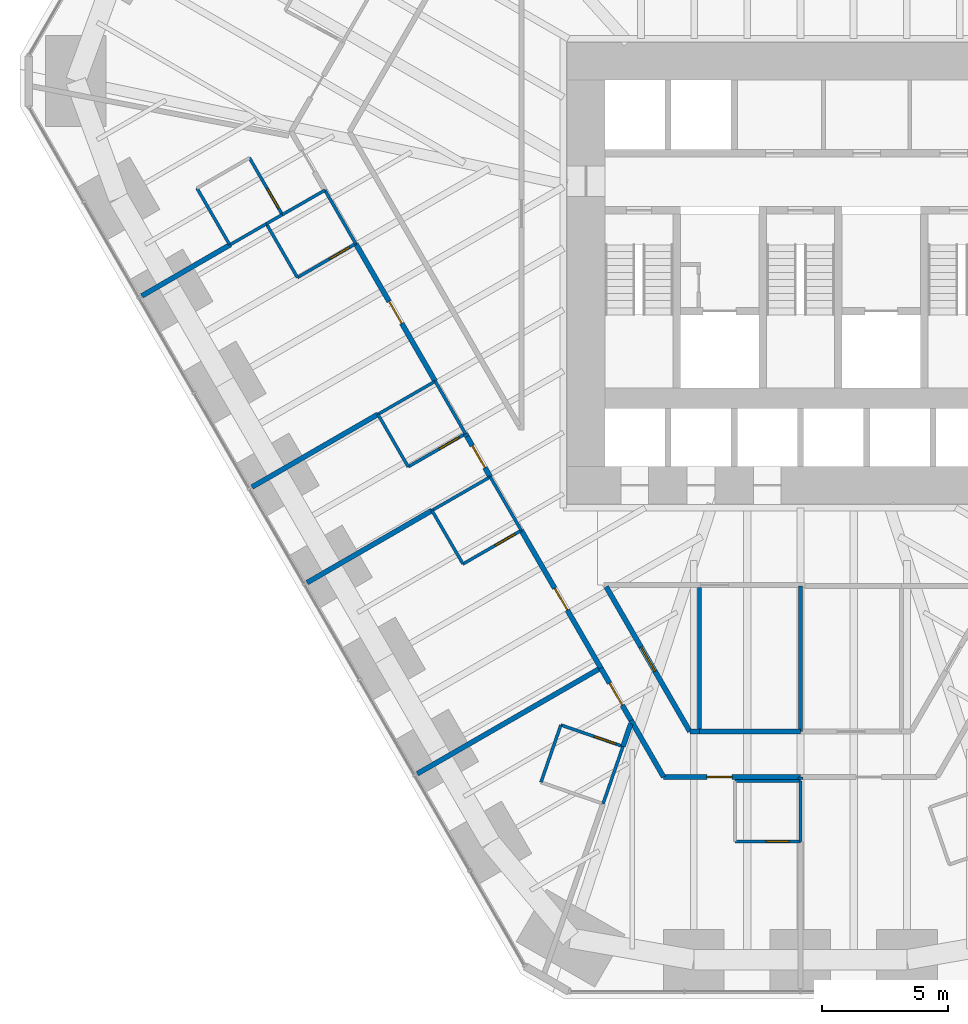
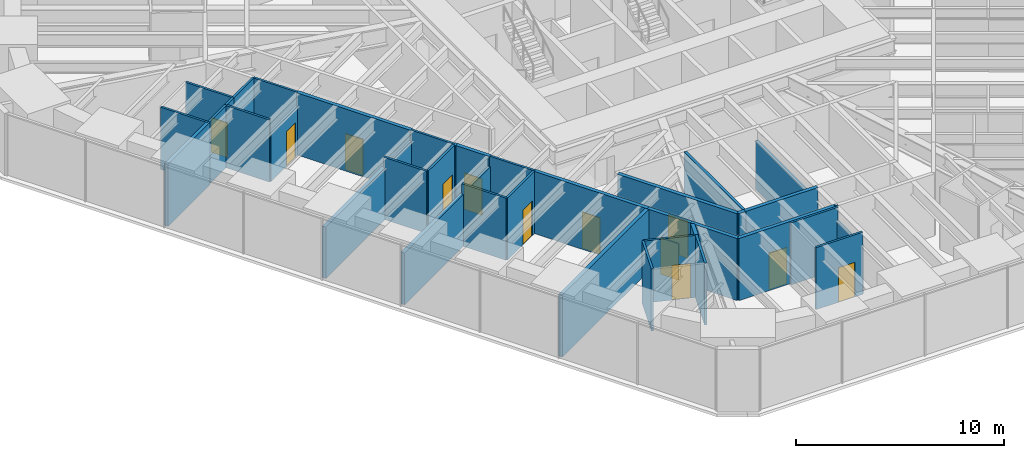
# One storey, part 11 of 17: 40 walls, 12 doors, 12 openings.
"""IFC4 building model written with IfcOpenShell, lengths in metres."""

from ifc_helpers import new_model, si_unit, direction, frame, frame_2d, origin, place, context, subcontext, project, spatial, rectangle, extrude, material, layer, layer_set, type_object, element, fill, save


model = new_model("IFC4")

# Units and contexts
model_context = context("Model", 3, precision=1e-05, world=origin(), true_north=direction((0.0, 1.0)))
body_context = subcontext(model_context, "Body", "Model", "MODEL_VIEW")
ifc_project = project(units=[si_unit("LENGTHUNIT", "METRE"), si_unit("AREAUNIT", "SQUARE_METRE"), si_unit("VOLUMEUNIT", "CUBIC_METRE"), si_unit("PLANEANGLEUNIT", "RADIAN"), si_unit("MASSUNIT", "GRAM", prefix="KILO")], contexts=[model_context])

# Site, building, storey
site_placement = place(None, origin())
site = spatial("IfcSite", under=ifc_project, at=site_placement, CompositionType="ELEMENT")
building_placement = place(site_placement, origin())
building = spatial("IfcBuilding", under=site, at=building_placement, Name="Sandreach Pilgrim Tower", CompositionType="ELEMENT")
storey_placement = place(building_placement, frame((0.0, 0.0, 30.60009765625)))
storey = spatial("IfcBuildingStorey", under=building, at=storey_placement, Name="L06", CompositionType="ELEMENT", Elevation=30.60009765625)

# Walls
ifc_material_1 = material(Name="Gypsum board on steel studs", Category="steel")
ifc_layer_1 = layer(ifc_material_1, 0.14990234375)
ifc_layer_set_1 = layer_set([ifc_layer_1], Name="Back of house wall 150")
wall_type_1 = type_object("IfcWallType", Name="Back of house wall 150", PredefinedType="PARTITIONING", material=ifc_layer_set_1)
wall_1_placement = place(storey_placement, frame((-4.0, -14.0, 0.0), z_axis=(0.0, 0.0, 1.0), x_axis=(0.0, -1.0, 0.0)))
element("IfcWall", 1, at=wall_1_placement, inside=storey, type_object=wall_type_1, Name="Back of house wall L06-068", PredefinedType="PARTITIONING", context=body_context, shape_type="SweptSolid", body=[
    extrude(rectangle(XDim=5.7099609375, YDim=0.14990234375, at=frame_2d((2.85498046875, 0.0))), origin(), (0.0, 0.0, 1.0), 3.639892578125),
])
wall_2_placement = place(storey_placement, frame((0.0, -13.949951171875, 0.0), z_axis=(0.0, 0.0, 1.0), x_axis=(0.0, -1.0, 0.0)))
element("IfcWall", 2, at=wall_2_placement, inside=storey, type_object=wall_type_1, Name="Back of house wall L06-083", PredefinedType="PARTITIONING", context=body_context, shape_type="SweptSolid", body=[
    extrude(rectangle(XDim=5.760009765625, YDim=0.14990234375, at=frame_2d((2.8798828125, 0.0))), origin(), (0.0, 0.0, 1.0), 2.860107421875),
])
ifc_material_2 = material(Name="Moisture-resistant gypsum board on steel studs", Category="steel")
ifc_layer_2 = layer(ifc_material_2, 0.1201171875)
ifc_layer_set_2 = layer_set([ifc_layer_2], Name="Bathroom partition 120")
wall_type_2 = type_object("IfcWallType", Name="Bathroom partition 120", PredefinedType="PARTITIONING", material=ifc_layer_set_2)
wall_3_placement = place(storey_placement, frame((-23.909912109375, 1.820068359375, 0.0), z_axis=(0.0, 0.0, 1.0), x_axis=(0.50026500294, -0.865872350196, 0.0)))
element("IfcWall", 3, at=wall_3_placement, inside=storey, type_object=wall_type_2, Name="Bathroom partition L06-004", PredefinedType="PARTITIONING", context=body_context, shape_type="SweptSolid", body=[
    extrude(rectangle(XDim=2.58349609375, YDim=0.1201171875, at=frame_2d((1.291748046875, 0.0))), origin(), (0.0, 0.0, 1.0), 3.639892578125),
])
wall_4_placement = place(storey_placement, frame((-22.580078125, -0.409912109375, 0.0), z_axis=(0.0, 0.0, 1.0), x_axis=(0.866054188497, 0.499950140102, 0.0)))
element("IfcWall", 4, at=wall_4_placement, inside=storey, type_object=wall_type_2, Name="Bathroom partition L06-005", PredefinedType="PARTITIONING", context=body_context, shape_type="SweptSolid", body=[
    extrude(rectangle(XDim=1.639892578125, YDim=0.1201171875, at=frame_2d((0.81982421875, 0.0))), origin(), (0.0, 0.0, 1.0), 3.639892578125),
])
wall_5_placement = place(storey_placement, frame((-21.159912109375, 0.409912109375, 0.0), z_axis=(0.0, 0.0, 1.0), x_axis=(0.868139588385, 0.496320113515, 0.0)))
element("IfcWall", 5, at=wall_5_placement, inside=storey, type_object=wall_type_2, Name="Bathroom partition L06-008", PredefinedType="PARTITIONING", context=body_context, shape_type="SweptSolid", body=[
    extrude(rectangle(XDim=0.7255859375, YDim=0.1201171875, at=frame_2d((0.36279296875, 0.0))), origin(), (0.0, 0.0, 1.0), 3.639892578125),
])
wall_6_placement = place(storey_placement, frame((-21.159912109375, 0.409912109375, 0.0), z_axis=(0.0, 0.0, 1.0), x_axis=(0.500089055364, -0.86597398154, 0.0)))
element("IfcWall", 6, at=wall_6_placement, inside=storey, type_object=wall_type_2, Name="Bathroom partition L06-009", PredefinedType="PARTITIONING", context=body_context, shape_type="SweptSolid", body=[
    extrude(rectangle(XDim=2.45947265625, YDim=0.1201171875, at=frame_2d((1.229736328125, 0.0))), origin(), (0.0, 0.0, 1.0), 3.639892578125),
])

# Wall, opening, door
wall_7_placement = place(storey_placement, frame((-20.530029296875, 0.77001953125, 0.0), z_axis=(0.0, 0.0, 1.0), x_axis=(-0.500291685314, 0.865856933682, 0.0)))
wall_7 = element("IfcWall", 7, at=wall_7_placement, inside=storey, type_object=wall_type_2, Name="Bathroom partition L06-010", PredefinedType="PARTITIONING", context=body_context, shape_type="SweptSolid", body=[
    extrude(rectangle(XDim=2.5986328125, YDim=0.1201171875, at=frame_2d((1.29931640625, 0.0))), origin(), (0.0, 0.0, 1.0), 3.639892578125),
])
opening_1_placement = place(wall_7_placement, frame((0.300048828125, 0.0, 0.0)))
opening_1 = element("IfcOpeningElement", 8, at=opening_1_placement, cuts=wall_7, Name="Opening D09-19B", PredefinedType="OPENING", context=body_context, shape_type="SweptSolid", body=[
    extrude(rectangle(XDim=0.89990234375, YDim=2.030029296875, at=frame_2d((0.449951171875, 1.01513671875))), frame((0.0, 0.06005859375, 0.0), z_axis=(0.0, -1.0, 0.0), x_axis=(1.0, 0.0, 0.0)), (0.0, 0.0, 1.0), 0.1201171875),
])
ifc_material_3 = material(Name="Timber door, steel frame", Category="steel")
door_type_1 = type_object("IfcDoorType", Name="Bathroom door", OperationType="SINGLE_SWING_LEFT", PredefinedType="DOOR", material=ifc_material_3)
door_1_placement = place(opening_1_placement, origin())
door_1 = element("IfcDoor", 9, at=door_1_placement, inside=storey, type_object=door_type_1, Name="Door 0619B", OperationType="SINGLE_SWING_LEFT", OverallHeight=2.030029296875, OverallWidth=0.89990234375, PredefinedType="DOOR", context=body_context, shape_type="SweptSolid", body=[
    extrude(rectangle(XDim=0.89990234375, YDim=2.030029296875, at=frame_2d((0.449951171875, 1.01513671875))), frame((0.0, 0.02490234375, 0.0), z_axis=(0.0, -1.0, 0.0), x_axis=(1.0, 0.0, 0.0)), (0.0, 0.0, 1.0), 0.050048828125),
])
fill(opening_1, door_1)

# Wall
wall_8_placement = place(storey_placement, frame((-20.530029296875, 0.77001953125, 0.0), z_axis=(0.0, 0.0, 1.0), x_axis=(0.867293167797, 0.497797711016, 0.0)))
element("IfcWall", 10, at=wall_8_placement, inside=storey, type_object=wall_type_2, Name="Bathroom partition L06-011", PredefinedType="PARTITIONING", context=body_context, shape_type="SweptSolid", body=[
    extrude(rectangle(XDim=1.948486328125, YDim=0.1201171875, at=frame_2d((0.97412109375, 0.0))), origin(), (0.0, 0.0, 1.0), 3.639892578125),
])

# Wall, opening, door
wall_9_placement = place(storey_placement, frame((-19.929931640625, -1.719970703125, 0.0), z_axis=(0.0, 0.0, 1.0), x_axis=(0.865006586495, 0.501760505939, 0.0)))
wall_9 = element("IfcWall", 11, at=wall_9_placement, inside=storey, type_object=wall_type_2, Name="Bathroom partition L06-016", PredefinedType="PARTITIONING", context=body_context, shape_type="SweptSolid", body=[
    extrude(rectangle(XDim=2.670166015625, YDim=0.1201171875, at=frame_2d((1.3349609375, 0.0))), origin(), (0.0, 0.0, 1.0), 2.8779296875),
])
opening_2_placement = place(wall_9_placement, frame((1.470458984375, 0.0, 0.0)))
opening_2 = element("IfcOpeningElement", 12, at=opening_2_placement, cuts=wall_9, Name="Opening D09-18B", PredefinedType="OPENING", context=body_context, shape_type="SweptSolid", body=[
    extrude(rectangle(XDim=0.89990234375, YDim=2.030029296875, at=frame_2d((0.449951171875, 1.01513671875))), frame((0.0, 0.06005859375, 0.0), z_axis=(0.0, -1.0, 0.0), x_axis=(1.0, 0.0, 0.0)), (0.0, 0.0, 1.0), 0.1201171875),
])
door_2_placement = place(opening_2_placement, origin())
door_2 = element("IfcDoor", 13, at=door_2_placement, inside=storey, type_object=door_type_1, Name="Door 0618B", OperationType="SINGLE_SWING_RIGHT", OverallHeight=2.030029296875, OverallWidth=0.89990234375, PredefinedType="DOOR", context=body_context, shape_type="SweptSolid", body=[
    extrude(rectangle(XDim=0.89990234375, YDim=2.030029296875, at=frame_2d((0.449951171875, 1.01513671875))), frame((0.0, 0.02490234375, 0.0), z_axis=(0.0, -1.0, 0.0), x_axis=(1.0, 0.0, 0.0)), (0.0, 0.0, 1.0), 0.050048828125),
])
fill(opening_2, door_2)

# Walls
wall_10_placement = place(storey_placement, frame((-18.840087890625, 1.739990234375, 0.0), z_axis=(0.0, 0.0, 1.0), x_axis=(0.498791783817, -0.866721844883, 0.0)))
element("IfcWall", 14, at=wall_10_placement, inside=storey, type_object=wall_type_2, Name="Bathroom partition L06-020", PredefinedType="PARTITIONING", context=body_context, shape_type="SweptSolid", body=[
    extrude(rectangle(XDim=2.44580078125, YDim=0.1201171875, at=frame_2d((1.222900390625, 0.0))), origin(), (0.0, 0.0, 1.0), 3.639892578125),
])
wall_11_placement = place(storey_placement, frame((-16.739990234375, -7.139892578125, 0.0), z_axis=(0.0, 0.0, 1.0), x_axis=(0.499693115345, -0.866202511239, 0.0)))
element("IfcWall", 15, at=wall_11_placement, inside=storey, type_object=wall_type_2, Name="Bathroom partition L06-028", PredefinedType="PARTITIONING", context=body_context, shape_type="SweptSolid", body=[
    extrude(rectangle(XDim=2.4013671875, YDim=0.1201171875, at=frame_2d((1.20068359375, 0.0))), origin(), (0.0, 0.0, 1.0), 3.639892578125),
])
wall_12_placement = place(storey_placement, frame((-16.739990234375, -7.139892578125, 0.0), z_axis=(0.0, 0.0, 1.0), x_axis=(0.866154567199, 0.49977621564, 0.0)))
element("IfcWall", 16, at=wall_12_placement, inside=storey, type_object=wall_type_2, Name="Bathroom partition L06-029", PredefinedType="PARTITIONING", context=body_context, shape_type="SweptSolid", body=[
    extrude(rectangle(XDim=2.620849609375, YDim=0.1201171875, at=frame_2d((1.310546875, 0.0))), origin(), (0.0, 0.0, 1.0), 3.022705078125),
])

# Wall, opening, door
wall_13_placement = place(storey_placement, frame((-15.5400390625, -9.219970703125, 0.0), z_axis=(0.0, 0.0, 1.0), x_axis=(0.866114241029, 0.499846097802, 0.0)))
wall_13 = element("IfcWall", 17, at=wall_13_placement, inside=storey, type_object=wall_type_2, Name="Bathroom partition L06-031", PredefinedType="PARTITIONING", context=body_context, shape_type="SweptSolid", body=[
    extrude(rectangle(XDim=2.620849609375, YDim=0.1201171875, at=frame_2d((1.310546875, 0.0))), origin(), (0.0, 0.0, 1.0), 3.639892578125),
])
opening_3_placement = place(wall_13_placement, frame((1.4208984375, 0.0, 0.0)))
opening_3 = element("IfcOpeningElement", 18, at=opening_3_placement, cuts=wall_13, Name="Opening D09-17B", PredefinedType="OPENING", context=body_context, shape_type="SweptSolid", body=[
    extrude(rectangle(XDim=0.89990234375, YDim=2.030029296875, at=frame_2d((0.449951171875, 1.01513671875))), frame((0.0, 0.06005859375, 0.0), z_axis=(0.0, -1.0, 0.0), x_axis=(1.0, 0.0, 0.0)), (0.0, 0.0, 1.0), 0.1201171875),
])
door_3_placement = place(opening_3_placement, origin())
door_3 = element("IfcDoor", 19, at=door_3_placement, inside=storey, type_object=door_type_1, Name="Door 0617B", OperationType="SINGLE_SWING_RIGHT", OverallHeight=2.030029296875, OverallWidth=0.89990234375, PredefinedType="DOOR", context=body_context, shape_type="SweptSolid", body=[
    extrude(rectangle(XDim=0.89990234375, YDim=2.030029296875, at=frame_2d((0.449951171875, 1.01513671875))), frame((0.0, 0.02490234375, 0.0), z_axis=(0.0, -1.0, 0.0), x_axis=(1.0, 0.0, 0.0)), (0.0, 0.0, 1.0), 0.050048828125),
])
fill(opening_3, door_3)

# Walls
wall_14_placement = place(storey_placement, frame((-14.60009765625, -10.949951171875, 0.0), z_axis=(0.0, 0.0, 1.0), x_axis=(0.501888006485, -0.864932615264, 0.0)))
element("IfcWall", 20, at=wall_14_placement, inside=storey, type_object=wall_type_2, Name="Bathroom partition L06-033", PredefinedType="PARTITIONING", context=body_context, shape_type="SweptSolid", body=[
    extrude(rectangle(XDim=2.451171875, YDim=0.1201171875, at=frame_2d((1.2255859375, 0.0))), origin(), (0.0, 0.0, 1.0), 3.639892578125),
])
wall_15_placement = place(storey_placement, frame((-14.60009765625, -10.949951171875, 0.0), z_axis=(0.0, 0.0, 1.0), x_axis=(0.866654860089, 0.498908161372, 0.0)))
element("IfcWall", 21, at=wall_15_placement, inside=storey, type_object=wall_type_2, Name="Bathroom partition L06-034", PredefinedType="PARTITIONING", context=body_context, shape_type="SweptSolid", body=[
    extrude(rectangle(XDim=2.66552734375, YDim=0.1201171875, at=frame_2d((1.332763671875, 0.0))), origin(), (0.0, 0.0, 1.0), 3.037841796875),
])
wall_16_placement = place(storey_placement, frame((-14.469970703125, -5.830078125, 0.0), z_axis=(0.0, 0.0, 1.0), x_axis=(0.499737123639, -0.866177122335, 0.0)))
element("IfcWall", 22, at=wall_16_placement, inside=storey, type_object=wall_type_2, Name="Bathroom partition L06-035", PredefinedType="PARTITIONING", context=body_context, shape_type="SweptSolid", body=[
    extrude(rectangle(XDim=2.401123046875, YDim=0.1201171875, at=frame_2d((1.20068359375, 0.0))), origin(), (0.0, 0.0, 1.0), 3.639892578125),
])

# Wall, opening, door
wall_17_placement = place(storey_placement, frame((-13.3701171875, -13.070068359375, 0.0), z_axis=(0.0, 0.0, 1.0), x_axis=(0.866615255992, 0.498976951453, 0.0)))
wall_17 = element("IfcWall", 23, at=wall_17_placement, inside=storey, type_object=wall_type_2, Name="Bathroom partition L06-038", PredefinedType="PARTITIONING", context=body_context, shape_type="SweptSolid", body=[
    extrude(rectangle(XDim=2.66552734375, YDim=0.1201171875, at=frame_2d((1.332763671875, 0.0))), origin(), (0.0, 0.0, 1.0), 3.639892578125),
])
opening_4_placement = place(wall_17_placement, frame((1.465576171875, 0.0, 0.0)))
opening_4 = element("IfcOpeningElement", 24, at=opening_4_placement, cuts=wall_17, Name="Opening D09-16B", PredefinedType="OPENING", context=body_context, shape_type="SweptSolid", body=[
    extrude(rectangle(XDim=0.89990234375, YDim=2.030029296875, at=frame_2d((0.449951171875, 1.01513671875))), frame((0.0, 0.06005859375, 0.0), z_axis=(0.0, -1.0, 0.0), x_axis=(1.0, 0.0, 0.0)), (0.0, 0.0, 1.0), 0.1201171875),
])
door_4_placement = place(opening_4_placement, origin())
door_4 = element("IfcDoor", 25, at=door_4_placement, inside=storey, type_object=door_type_1, Name="Door 0616B", OperationType="SINGLE_SWING_RIGHT", OverallHeight=2.030029296875, OverallWidth=0.89990234375, PredefinedType="DOOR", context=body_context, shape_type="SweptSolid", body=[
    extrude(rectangle(XDim=0.89990234375, YDim=2.030029296875, at=frame_2d((0.449951171875, 1.01513671875))), frame((0.0, 0.02490234375, 0.0), z_axis=(0.0, -1.0, 0.0), x_axis=(1.0, 0.0, 0.0)), (0.0, 0.0, 1.0), 0.050048828125),
])
fill(opening_4, door_4)

# Walls
wall_18_placement = place(storey_placement, frame((-12.2900390625, -9.6201171875, 0.0), z_axis=(0.0, 0.0, 1.0), x_axis=(0.501856726365, -0.86495076519, 0.0)))
element("IfcWall", 26, at=wall_18_placement, inside=storey, type_object=wall_type_2, Name="Bathroom partition L06-043", PredefinedType="PARTITIONING", context=body_context, shape_type="SweptSolid", body=[
    extrude(rectangle(XDim=2.450927734375, YDim=0.1201171875, at=frame_2d((1.2255859375, 0.0))), origin(), (0.0, 0.0, 1.0), 3.639892578125),
])
for number, where, z_axis, x_axis, name in (
    (27, (-9.489990234375, -19.449951171875, 0.0), (0.0, 0.0, 1.0), (-0.328693963496, -0.944436487203, 0.0), "Bathroom partition L06-052"),
    (28, (-7.820068359375, -22.570068359375, 0.0), (0.0, 0.0, 1.0), (0.328693963496, 0.944436487203, 0.0), "Bathroom partition L06-059"),
):
    element("IfcWall", number, at=place(storey_placement, frame(where, z_axis=z_axis, x_axis=x_axis)), inside=storey, type_object=wall_type_2, Name=name, PredefinedType="PARTITIONING", context=body_context, shape_type="SweptSolid", body=[
        extrude(rectangle(XDim=2.403564453125, YDim=0.1201171875, at=frame_2d((1.20166015625, 0.0))), origin(), (0.0, 0.0, 1.0), 3.639892578125),
    ])

# Wall, opening, door
wall_19_placement = place(storey_placement, frame((-7.030029296875, -20.300048828125, 0.0), z_axis=(0.0, 0.0, 1.0), x_axis=(-0.94515546045, 0.326620813149, 0.0)))
wall_19 = element("IfcWall", 29, at=wall_19_placement, inside=storey, type_object=wall_type_2, Name="Bathroom partition L06-060", PredefinedType="PARTITIONING", context=body_context, shape_type="SweptSolid", body=[
    extrude(rectangle(XDim=2.602783203125, YDim=0.1201171875, at=frame_2d((1.30126953125, 0.0))), origin(), (0.0, 0.0, 1.0), 3.639892578125),
])
opening_5_placement = place(wall_19_placement, frame((0.300048828125, 0.0, 0.0)))
opening_5 = element("IfcOpeningElement", 30, at=opening_5_placement, cuts=wall_19, Name="Opening D09-15B", PredefinedType="OPENING", context=body_context, shape_type="SweptSolid", body=[
    extrude(rectangle(XDim=0.89990234375, YDim=2.030029296875, at=frame_2d((0.449951171875, 1.01513671875))), frame((0.0, 0.06005859375, 0.0), z_axis=(0.0, -1.0, 0.0), x_axis=(1.0, 0.0, 0.0)), (0.0, 0.0, 1.0), 0.1201171875),
])
door_5_placement = place(opening_5_placement, origin())
door_5 = element("IfcDoor", 31, at=door_5_placement, inside=storey, type_object=door_type_1, Name="Door 0615B", OperationType="SINGLE_SWING_LEFT", OverallHeight=2.030029296875, OverallWidth=0.89990234375, PredefinedType="DOOR", context=body_context, shape_type="SweptSolid", body=[
    extrude(rectangle(XDim=0.89990234375, YDim=2.030029296875, at=frame_2d((0.449951171875, 1.01513671875))), frame((0.0, 0.02490234375, 0.0), z_axis=(0.0, -1.0, 0.0), x_axis=(1.0, 0.0, 0.0)), (0.0, 0.0, 1.0), 0.050048828125),
])
fill(opening_5, door_5)

wall_20_placement = place(storey_placement, frame((-2.60009765625, -24.06005859375, 0.0), z_axis=(0.0, 0.0, 1.0), x_axis=(1.0, 0.0, 0.0)))
wall_20 = element("IfcWall", 32, at=wall_20_placement, inside=storey, type_object=wall_type_2, Name="Bathroom partition L06-069", PredefinedType="PARTITIONING", context=body_context, shape_type="SweptSolid", body=[
    extrude(rectangle(XDim=2.60009765625, YDim=0.1201171875, at=frame_2d((1.300048828125, 0.0))), origin(), (0.0, 0.0, 1.0), 3.639892578125),
])
opening_6_placement = place(wall_20_placement, frame((1.25, 0.0, 0.0)))
opening_6 = element("IfcOpeningElement", 33, at=opening_6_placement, cuts=wall_20, Name="Opening D09-14B", PredefinedType="OPENING", context=body_context, shape_type="SweptSolid", body=[
    extrude(rectangle(XDim=0.89990234375, YDim=2.030029296875, at=frame_2d((0.449951171875, 1.01513671875))), frame((0.0, 0.06005859375, 0.0), z_axis=(0.0, -1.0, 0.0), x_axis=(1.0, 0.0, 0.0)), (0.0, 0.0, 1.0), 0.1201171875),
])
door_6_placement = place(opening_6_placement, origin())
door_6 = element("IfcDoor", 34, at=door_6_placement, inside=storey, type_object=door_type_1, Name="Door 0614B", OperationType="SINGLE_SWING_RIGHT", OverallHeight=2.030029296875, OverallWidth=0.89990234375, PredefinedType="DOOR", context=body_context, shape_type="SweptSolid", body=[
    extrude(rectangle(XDim=0.89990234375, YDim=2.030029296875, at=frame_2d((0.449951171875, 1.01513671875))), frame((0.0, 0.02490234375, 0.0), z_axis=(0.0, -1.0, 0.0), x_axis=(1.0, 0.0, 0.0)), (0.0, 0.0, 1.0), 0.050048828125),
])
fill(opening_6, door_6)

# Walls
wall_21_placement = place(storey_placement, frame((0.0, -24.06005859375, 0.0), z_axis=(0.0, 0.0, 1.0), x_axis=(0.0, 1.0, 0.0)))
element("IfcWall", 35, at=wall_21_placement, inside=storey, type_object=wall_type_2, Name="Bathroom partition L06-078", PredefinedType="PARTITIONING", context=body_context, shape_type="SweptSolid", body=[
    extrude(rectangle(XDim=2.400146484375, YDim=0.1201171875, at=frame_2d((1.2001953125, 0.0))), origin(), (0.0, 0.0, 1.0), 2.860107421875),
])
wall_22_placement = place(storey_placement, frame((0.0, -21.659912109375, 0.0), z_axis=(0.0, 0.0, 1.0), x_axis=(-1.0, 0.0, 0.0)))
element("IfcWall", 36, at=wall_22_placement, inside=storey, type_object=wall_type_2, Name="Bathroom partition L06-079", PredefinedType="PARTITIONING", context=body_context, shape_type="SweptSolid", body=[
    extrude(rectangle(XDim=2.60009765625, YDim=0.1201171875, at=frame_2d((1.300048828125, 0.0))), origin(), (0.0, 0.0, 1.0), 3.639892578125),
])

# Wall, opening, door
ifc_material_4 = material(Name="Gypsum board on steel studs, two layers each side", Category="steel")
ifc_layer_3 = layer(ifc_material_4, 0.199951171875)
ifc_layer_set_3 = layer_set([ifc_layer_3], Name="Corridor wall 200")
wall_type_3 = type_object("IfcWallType", Name="Corridor wall 200", PredefinedType="PARTITIONING", material=ifc_layer_set_3)
wall_23_placement = place(storey_placement, frame((-17.6201171875, -0.3798828125, 0.0), z_axis=(0.0, 0.0, 1.0), x_axis=(0.500413927211, -0.865786290867, 0.0)))
wall_23 = element("IfcWall", 37, at=wall_23_placement, inside=storey, type_object=wall_type_3, Name="Corridor wall L06-024", PredefinedType="PARTITIONING", context=body_context, shape_type="SweptSolid", body=[
    extrude(rectangle(XDim=6.295166015625, YDim=0.199951171875, at=frame_2d((3.1474609375, 0.0))), origin(), (0.0, 0.0, 1.0), 3.639892578125),
])
opening_7_placement = place(wall_23_placement, frame((2.6474609375, 0.0, 0.0)))
opening_7 = element("IfcOpeningElement", 38, at=opening_7_placement, cuts=wall_23, Name="Opening D10-18", PredefinedType="OPENING", context=body_context, shape_type="SweptSolid", body=[
    extrude(rectangle(XDim=1.0, YDim=2.1298828125, at=frame_2d((0.5, 1.06494140625))), frame((0.0, 0.10009765625, 0.0), z_axis=(0.0, -1.0, 0.0), x_axis=(1.0, 0.0, 0.0)), (0.0, 0.0, 1.0), 0.199951171875),
])
ifc_material_5 = material(Name="Steel door and frame", Category="steel")
door_type_2 = type_object("IfcDoorType", Name="Guest room entry door", OperationType="SINGLE_SWING_LEFT", PredefinedType="DOOR", material=ifc_material_5)
door_7_placement = place(opening_7_placement, origin())
door_7 = element("IfcDoor", 39, at=door_7_placement, inside=storey, type_object=door_type_2, Name="Door 0618", OperationType="SINGLE_SWING_LEFT", OverallHeight=2.1298828125, OverallWidth=1.0, PredefinedType="DOOR", context=body_context, shape_type="SweptSolid", body=[
    extrude(rectangle(XDim=1.0, YDim=2.1298828125, at=frame_2d((0.5, 1.06494140625))), frame((0.0, 0.02490234375, 0.0), z_axis=(0.0, -1.0, 0.0), x_axis=(1.0, 0.0, 0.0)), (0.0, 0.0, 1.0), 0.050048828125),
])
fill(opening_7, door_7)

# Wall
wall_24_placement = place(storey_placement, frame((-13.27001953125, -7.909912109375, 0.0), z_axis=(0.0, 0.0, 1.0), x_axis=(0.478852130681, -0.877895572914, 0.0)))
element("IfcWall", 40, at=wall_24_placement, inside=storey, type_object=wall_type_3, Name="Corridor wall L06-039", PredefinedType="PARTITIONING", context=body_context, shape_type="SweptSolid", body=[
    extrude(rectangle(XDim=0.12548828125, YDim=0.199951171875, at=frame_2d((0.062744140625, 0.0))), origin(), (0.0, 0.0, 1.0), 3.639892578125),
])

# Wall, opening, door
wall_25_placement = place(storey_placement, frame((-13.2099609375, -8.02001953125, 0.0), z_axis=(0.0, 0.0, 1.0), x_axis=(0.498473609767, -0.866904873885, 0.0)))
wall_25 = element("IfcWall", 41, at=wall_25_placement, inside=storey, type_object=wall_type_3, Name="Corridor wall L06-040", PredefinedType="PARTITIONING", context=body_context, shape_type="SweptSolid", body=[
    extrude(rectangle(XDim=1.845458984375, YDim=0.199951171875, at=frame_2d((0.9228515625, 0.0))), origin(), (0.0, 0.0, 1.0), 3.639892578125),
])
opening_8_placement = place(wall_25_placement, frame((0.4228515625, 0.0, 0.0)))
opening_8 = element("IfcOpeningElement", 42, at=opening_8_placement, cuts=wall_25, Name="Opening D10-17", PredefinedType="OPENING", context=body_context, shape_type="SweptSolid", body=[
    extrude(rectangle(XDim=1.0, YDim=2.1298828125, at=frame_2d((0.5, 1.06494140625))), frame((0.0, 0.10009765625, 0.0), z_axis=(0.0, -1.0, 0.0), x_axis=(1.0, 0.0, 0.0)), (0.0, 0.0, 1.0), 0.199951171875),
])
door_8_placement = place(opening_8_placement, origin())
door_8 = element("IfcDoor", 43, at=door_8_placement, inside=storey, type_object=door_type_2, Name="Door 0617", OperationType="SINGLE_SWING_LEFT", OverallHeight=2.1298828125, OverallWidth=1.0, PredefinedType="DOOR", context=body_context, shape_type="SweptSolid", body=[
    extrude(rectangle(XDim=1.0, YDim=2.1298828125, at=frame_2d((0.5, 1.06494140625))), frame((0.0, 0.02490234375, 0.0), z_axis=(0.0, -1.0, 0.0), x_axis=(1.0, 0.0, 0.0)), (0.0, 0.0, 1.0), 0.050048828125),
])
fill(opening_8, door_8)

wall_26_placement = place(storey_placement, frame((-11.059814453125, -11.73974609375, 0.0), z_axis=(0.0, 0.0, 1.0), x_axis=(0.500384855356, -0.865803093394, 0.0)))
wall_26 = element("IfcWall", 44, at=wall_26_placement, inside=storey, type_object=wall_type_3, Name="Corridor wall L06-047", PredefinedType="PARTITIONING", context=body_context, shape_type="SweptSolid", body=[
    extrude(rectangle(XDim=6.294921875, YDim=0.199951171875, at=frame_2d((3.1474609375, 0.0))), origin(), (0.0, 0.0, 1.0), 3.639892578125),
])
opening_9_placement = place(wall_26_placement, frame((2.6474609375, 0.0, 0.0)))
opening_9 = element("IfcOpeningElement", 45, at=opening_9_placement, cuts=wall_26, Name="Opening D10-16", PredefinedType="OPENING", context=body_context, shape_type="SweptSolid", body=[
    extrude(rectangle(XDim=1.0, YDim=2.1298828125, at=frame_2d((0.5, 1.06494140625))), frame((0.0, 0.10009765625, 0.0), z_axis=(0.0, -1.0, 0.0), x_axis=(1.0, 0.0, 0.0)), (0.0, 0.0, 1.0), 0.199951171875),
])
door_9_placement = place(opening_9_placement, origin())
door_9 = element("IfcDoor", 46, at=door_9_placement, inside=storey, type_object=door_type_2, Name="Door 0616", OperationType="SINGLE_SWING_LEFT", OverallHeight=2.1298828125, OverallWidth=1.0, PredefinedType="DOOR", context=body_context, shape_type="SweptSolid", body=[
    extrude(rectangle(XDim=1.0, YDim=2.1298828125, at=frame_2d((0.5, 1.06494140625))), frame((0.0, 0.02490234375, 0.0), z_axis=(0.0, -1.0, 0.0), x_axis=(1.0, 0.0, 0.0)), (0.0, 0.0, 1.0), 0.050048828125),
])
fill(opening_9, door_9)

wall_27_placement = place(storey_placement, frame((-7.909912109375, -17.18994140625, 0.0), z_axis=(0.0, 0.0, 1.0), x_axis=(0.499693115345, -0.866202511239, 0.0)))
wall_27 = element("IfcWall", 47, at=wall_27_placement, inside=storey, type_object=wall_type_3, Name="Corridor wall L06-058", PredefinedType="PARTITIONING", context=body_context, shape_type="SweptSolid", body=[
    extrude(rectangle(XDim=2.4013671875, YDim=0.199951171875, at=frame_2d((1.20068359375, 0.0))), origin(), (0.0, 0.0, 1.0), 3.639892578125),
])
opening_10_placement = place(wall_27_placement, frame((0.70068359375, 0.0, 0.0)))
opening_10 = element("IfcOpeningElement", 48, at=opening_10_placement, cuts=wall_27, Name="Opening D10-15", PredefinedType="OPENING", context=body_context, shape_type="SweptSolid", body=[
    extrude(rectangle(XDim=1.0, YDim=2.1298828125, at=frame_2d((0.5, 1.06494140625))), frame((0.0, 0.10009765625, 0.0), z_axis=(0.0, -1.0, 0.0), x_axis=(1.0, 0.0, 0.0)), (0.0, 0.0, 1.0), 0.199951171875),
])
door_10_placement = place(opening_10_placement, origin())
door_10 = element("IfcDoor", 49, at=door_10_placement, inside=storey, type_object=door_type_2, Name="Door 0615", OperationType="SINGLE_SWING_LEFT", OverallHeight=2.1298828125, OverallWidth=1.0, PredefinedType="DOOR", context=body_context, shape_type="SweptSolid", body=[
    extrude(rectangle(XDim=1.0, YDim=2.1298828125, at=frame_2d((0.5, 1.06494140625))), frame((0.0, 0.02490234375, 0.0), z_axis=(0.0, -1.0, 0.0), x_axis=(1.0, 0.0, 0.0)), (0.0, 0.0, 1.0), 0.050048828125),
])
fill(opening_10, door_10)

# Wall
wall_28_placement = place(storey_placement, frame((-5.419921875, -21.510009765625, 0.0), z_axis=(0.0, 0.0, 1.0), x_axis=(-0.499065468721, 0.866564283784, 0.0)))
element("IfcWall", 50, at=wall_28_placement, inside=storey, type_object=wall_type_3, Name="Corridor wall L06-062", PredefinedType="PARTITIONING", context=body_context, shape_type="SweptSolid", body=[
    extrude(rectangle(XDim=2.5849609375, YDim=0.199951171875, at=frame_2d((1.29248046875, 0.0))), origin(), (0.0, 0.0, 1.0), 3.639892578125),
])

# Wall, opening, door
wall_29_placement = place(storey_placement, frame((-5.419921875, -21.510009765625, 0.0), z_axis=(0.0, 0.0, 1.0), x_axis=(1.0, 0.0, 0.0)))
wall_29 = element("IfcWall", 51, at=wall_29_placement, inside=storey, type_object=wall_type_3, Name="Corridor wall L06-063", PredefinedType="PARTITIONING", context=body_context, shape_type="SweptSolid", body=[
    extrude(rectangle(XDim=5.419921875, YDim=0.199951171875, at=frame_2d((2.7099609375, 0.0))), origin(), (0.0, 0.0, 1.0), 3.639892578125),
])
opening_11_placement = place(wall_29_placement, frame((1.7099609375, 0.0, 0.0)))
opening_11 = element("IfcOpeningElement", 52, at=opening_11_placement, cuts=wall_29, Name="Opening D10-14", PredefinedType="OPENING", context=body_context, shape_type="SweptSolid", body=[
    extrude(rectangle(XDim=1.0, YDim=2.1298828125, at=frame_2d((0.5, 1.06494140625))), frame((0.0, 0.10009765625, 0.0), z_axis=(0.0, -1.0, 0.0), x_axis=(1.0, 0.0, 0.0)), (0.0, 0.0, 1.0), 0.199951171875),
])
door_11_placement = place(opening_11_placement, origin())
door_11 = element("IfcDoor", 53, at=door_11_placement, inside=storey, type_object=door_type_2, Name="Door 0614", OperationType="SINGLE_SWING_LEFT", OverallHeight=2.1298828125, OverallWidth=1.0, PredefinedType="DOOR", context=body_context, shape_type="SweptSolid", body=[
    extrude(rectangle(XDim=1.0, YDim=2.1298828125, at=frame_2d((0.5, 1.06494140625))), frame((0.0, 0.02490234375, 0.0), z_axis=(0.0, -1.0, 0.0), x_axis=(1.0, 0.0, 0.0)), (0.0, 0.0, 1.0), 0.050048828125),
])
fill(opening_11, door_11)

wall_30_placement = place(storey_placement, frame((-4.3798828125, -19.7099609375, 0.0), z_axis=(0.0, 0.0, 1.0), x_axis=(-0.500523653757, 0.865722860984, 0.0)))
wall_30 = element("IfcWall", 54, at=wall_30_placement, inside=storey, type_object=wall_type_3, Name="Corridor wall L06-066", PredefinedType="PARTITIONING", context=body_context, shape_type="SweptSolid", body=[
    extrude(rectangle(XDim=6.62841796875, YDim=0.199951171875, at=frame_2d((3.314208984375, 0.0))), origin(), (0.0, 0.0, 1.0), 3.639892578125),
])
opening_12_placement = place(wall_30_placement, frame((2.76416015625, 0.0, 0.0)))
opening_12 = element("IfcOpeningElement", 55, at=opening_12_placement, cuts=wall_30, Name="Opening D11H-S1", PredefinedType="OPENING", context=body_context, shape_type="SweptSolid", body=[
    extrude(rectangle(XDim=1.10009765625, YDim=2.199951171875, at=frame_2d((0.550048828125, 1.10009765625))), frame((0.0, 0.10009765625, 0.0), z_axis=(0.0, -1.0, 0.0), x_axis=(1.0, 0.0, 0.0)), (0.0, 0.0, 1.0), 0.199951171875),
])
ifc_material_6 = material(Name="Steel door and frame", Category="steel")
door_type_3 = type_object("IfcDoorType", Name="Back of house door", OperationType="SINGLE_SWING_LEFT", PredefinedType="DOOR", material=ifc_material_6)
door_12_placement = place(opening_12_placement, origin())
door_12 = element("IfcDoor", 56, at=door_12_placement, inside=storey, type_object=door_type_3, Name="Door 06S1", OperationType="SINGLE_SWING_LEFT", OverallHeight=2.199951171875, OverallWidth=1.10009765625, PredefinedType="DOOR", context=body_context, shape_type="SweptSolid", body=[
    extrude(rectangle(XDim=1.10009765625, YDim=2.199951171875, at=frame_2d((0.550048828125, 1.10009765625))), frame((0.0, 0.02490234375, 0.0), z_axis=(0.0, -1.0, 0.0), x_axis=(1.0, 0.0, 0.0)), (0.0, 0.0, 1.0), 0.050048828125),
])
fill(opening_12, door_12)

# Walls
wall_31_placement = place(storey_placement, frame((-4.0, -19.7099609375, 0.0), z_axis=(0.0, 0.0, 1.0), x_axis=(-1.0, 0.0, 0.0)))
element("IfcWall", 57, at=wall_31_placement, inside=storey, type_object=wall_type_3, Name="Corridor wall L06-067", PredefinedType="PARTITIONING", context=body_context, shape_type="SweptSolid", body=[
    extrude(rectangle(XDim=0.3798828125, YDim=0.199951171875, at=frame_2d((0.18994140625, 0.0))), origin(), (0.0, 0.0, 1.0), 3.639892578125),
])
wall_32_placement = place(storey_placement, frame((0.0, -19.7099609375, 0.0), z_axis=(0.0, 0.0, 1.0), x_axis=(-1.0, 0.0, 0.0)))
element("IfcWall", 58, at=wall_32_placement, inside=storey, type_object=wall_type_3, Name="Corridor wall L06-082", PredefinedType="PARTITIONING", context=body_context, shape_type="SweptSolid", body=[
    extrude(rectangle(XDim=4.0, YDim=0.199951171875, at=frame_2d((2.0, 0.0))), origin(), (0.0, 0.0, 1.0), 3.639892578125),
])
ifc_material_7 = material(Name="Double steel stud acoustic wall, gypsum board", Category="steel")
ifc_layer_4 = layer(ifc_material_7, 0.199951171875)
ifc_layer_set_4 = layer_set([ifc_layer_4], Name="Party wall 200")
wall_type_4 = type_object("IfcWallType", Name="Party wall 200", PredefinedType="PARTITIONING", material=ifc_layer_set_4)
wall_33_placement = place(storey_placement, frame((-26.09619140625, -2.44970703125, 0.0), z_axis=(0.0, 0.0, 1.0), x_axis=(0.864983223647, 0.501800780001, 0.0)))
element("IfcWall", 59, at=wall_33_placement, inside=storey, type_object=wall_type_4, Name="Party wall L06-002", PredefinedType="PARTITIONING", context=body_context, shape_type="SweptSolid", body=[
    extrude(rectangle(XDim=4.06494140625, YDim=0.199951171875, at=frame_2d((2.032470703125, 0.0))), origin(), (0.0, 0.0, 1.0), 3.639892578125),
])
wall_34_placement = place(storey_placement, frame((-21.72607421875, -10.02001953125, 0.0), z_axis=(0.0, 0.0, 1.0), x_axis=(0.865919350456, 0.50018364478, 0.0)))
element("IfcWall", 60, at=wall_34_placement, inside=storey, type_object=wall_type_4, Name="Party wall L06-007", PredefinedType="PARTITIONING", context=body_context, shape_type="SweptSolid", body=[
    extrude(rectangle(XDim=5.758056640625, YDim=0.199951171875, at=frame_2d((2.87890625, 0.0))), origin(), (0.0, 0.0, 1.0), 3.022705078125),
])
wall_35_placement = place(storey_placement, frame((-19.546142578125, -13.809814453125, 0.0), z_axis=(0.0, 0.0, 1.0), x_axis=(0.865702137343, 0.500559496364, 0.0)))
element("IfcWall", 61, at=wall_35_placement, inside=storey, type_object=wall_type_4, Name="Party wall L06-017", PredefinedType="PARTITIONING", context=body_context, shape_type="SweptSolid", body=[
    extrude(rectangle(XDim=5.71337890625, YDim=0.199951171875, at=frame_2d((2.856689453125, 0.0))), origin(), (0.0, 0.0, 1.0), 3.037841796875),
])
wall_36_placement = place(storey_placement, frame((-15.176025390625, -21.380126953125, 0.0), z_axis=(0.0, 0.0, 1.0), x_axis=(0.866276837306, 0.49956425127, 0.0)))
element("IfcWall", 62, at=wall_36_placement, inside=storey, type_object=wall_type_4, Name="Party wall L06-032", PredefinedType="PARTITIONING", context=body_context, shape_type="SweptSolid", body=[
    extrude(rectangle(XDim=8.37255859375, YDim=0.199951171875, at=frame_2d((4.186279296875, 0.0))), origin(), (0.0, 0.0, 1.0), 3.639892578125),
])
wall_37_placement = place(storey_placement, frame((-7.030029296875, -20.300048828125, 0.0), z_axis=(0.0, 0.0, 1.0), x_axis=(0.32487799312, 0.945755935528, 0.0)))
element("IfcWall", 63, at=wall_37_placement, inside=storey, type_object=wall_type_4, Name="Party wall L06-061", PredefinedType="PARTITIONING", context=body_context, shape_type="SweptSolid", body=[
    extrude(rectangle(XDim=0.94677734375, YDim=0.199951171875, at=frame_2d((0.473388671875, 0.0))), origin(), (0.0, 0.0, 1.0), 3.639892578125),
])
wall_38_placement = place(storey_placement, frame((0.0, -21.60009765625, 0.0), z_axis=(0.0, 0.0, 1.0), x_axis=(0.0, 1.0, 0.0)))
element("IfcWall", 64, at=wall_38_placement, inside=storey, type_object=wall_type_4, Name="Party wall L06-080", PredefinedType="PARTITIONING", context=body_context, shape_type="SweptSolid", body=[
    extrude(rectangle(XDim=0.090087890625, YDim=0.199951171875, at=frame_2d((0.044921875, 0.0))), origin(), (0.0, 0.0, 1.0), 3.639892578125),
])

save(model, "model.ifc")
